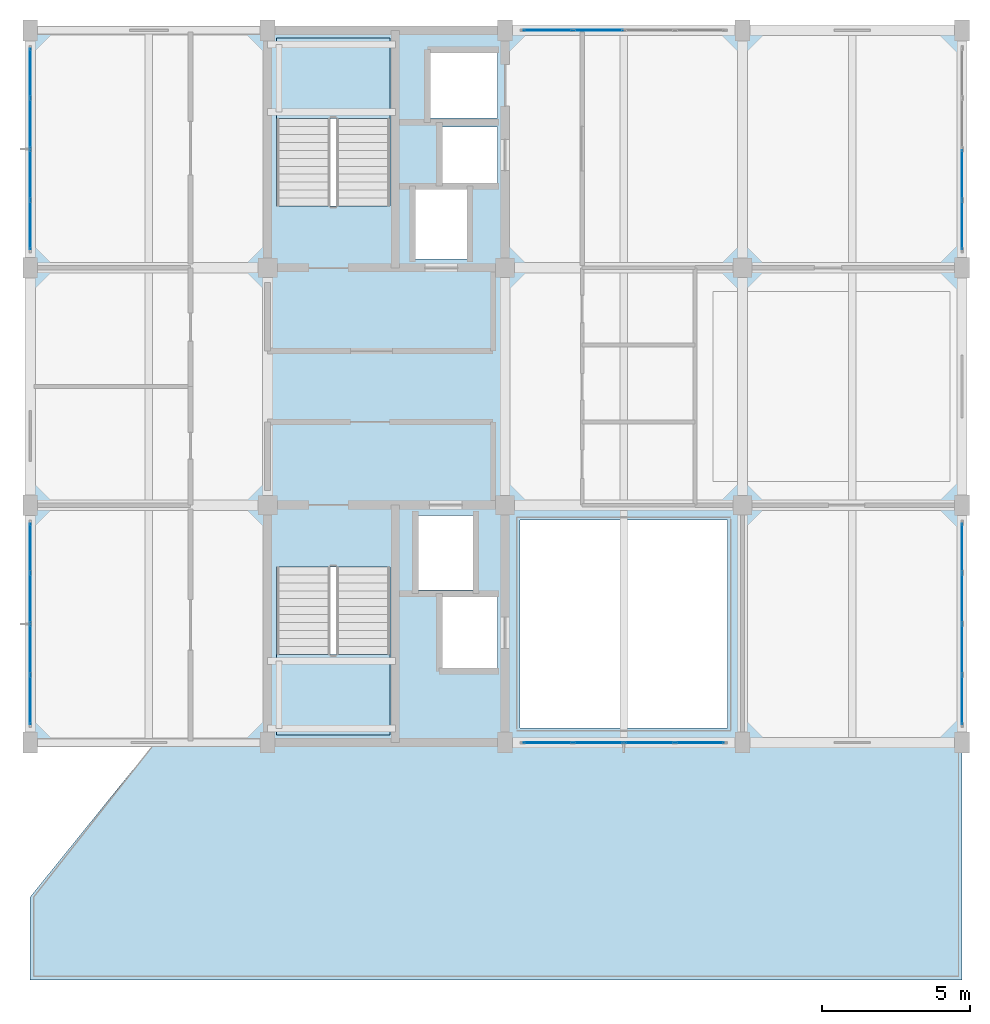
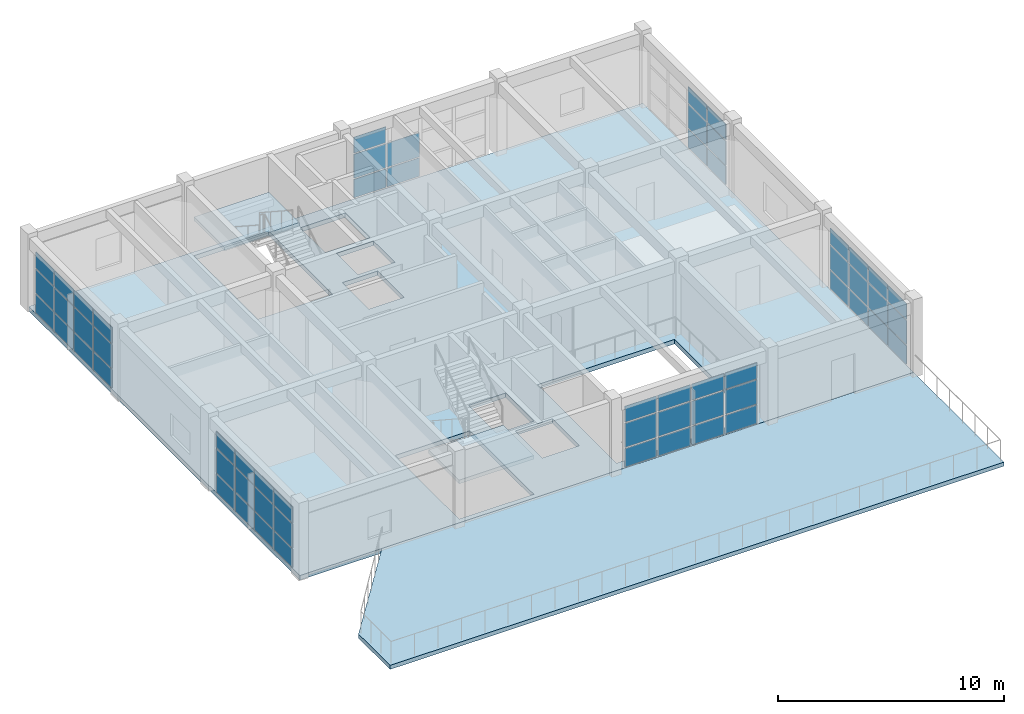
# One storey, part 15 of 20: 59 plates, 4 slabs, 8 elements without a shape of their own.
"""IFC4 building model written with IfcOpenShell, lengths in metres."""

from ifc_helpers import new_model, si_unit, direction, frame, origin, origin_2d, place, context, subcontext, project, spatial, polyline, rectangle, outline, extrude, material, layer, layer_set, type_object, element, aggregate, save


model = new_model("IFC4")

# Units and contexts
model_context = context("Model", 3, precision=1e-05, world=origin(), true_north=direction((0.0, 1.0)))
body_context = subcontext(model_context, "Body", "Model", "MODEL_VIEW")
ifc_project = project(units=[si_unit("LENGTHUNIT", "METRE"), si_unit("AREAUNIT", "SQUARE_METRE"), si_unit("VOLUMEUNIT", "CUBIC_METRE"), si_unit("PLANEANGLEUNIT", "RADIAN"), si_unit("MASSUNIT", "GRAM", prefix="KILO")], contexts=[model_context])

# Site, building, storey
site_placement = place(None, origin())
site = spatial("IfcSite", under=ifc_project, at=site_placement, CompositionType="ELEMENT")
building_placement = place(site_placement, origin())
building = spatial("IfcBuilding", under=site, at=building_placement, Name="Canggui Botanical Conservatory", CompositionType="ELEMENT")
storey_placement = place(building_placement, frame((0.0, 0.0, 57.0)))
storey = spatial("IfcBuildingStorey", under=building, at=storey_placement, Name="L14", CompositionType="ELEMENT", Elevation=57.0)

# Curtain wall, plates
ifc_material_1 = material(Name="Thermally Broken Aluminium", Category="aluminium")
ifc_layer_1 = layer(ifc_material_1, 0.1650390625, Name="Thermally Broken Aluminium", Category="aluminium")
ifc_layer_set_1 = layer_set([ifc_layer_1], Name="Thermally Broken Aluminium")
curtain_wall_type = type_object("IfcCurtainWallType", Name="CW-UNIT-B", PredefinedType="USERDEFINED", material=ifc_layer_set_1)
curtain_wall_1_placement = place(storey_placement, origin())
curtain_wall_1 = element("IfcCurtainWall", 1, at=curtain_wall_1_placement, inside=storey, type_object=curtain_wall_type, Name="Facade Curtain Wall CW-TWR-L14-02", ObjectType="UNITISED CURTAIN WALL", PredefinedType="USERDEFINED")
ifc_material_2 = material(Name="Low-E Insulated Glass", Category="glass")
ifc_layer_2 = layer(ifc_material_2, 0.030029296875, Name="Low-E Insulated Glass", Category="glass")
ifc_layer_set_2 = layer_set([ifc_layer_2], Name="Low-E Insulated Glass")
plate_type = type_object("IfcPlateType", Name="CWP-02", PredefinedType="CURTAIN_PANEL", material=ifc_layer_set_2)
plate_1_placement = place(storey_placement, frame((168.563720703125, 42.0, 0.06005859375), z_axis=(0.0, 0.0, 1.0), x_axis=(-1.0, 0.0, 0.0)))
plate_1 = element("IfcPlate", 2, at=plate_1_placement, type_object=plate_type, Name="CW-02 panel 1.1", PredefinedType="CURTAIN_PANEL", context=body_context, shape_type="SweptSolid", body=[
    extrude(rectangle(XDim=1.62255859375, YDim=0.030029296875, at=origin_2d()), origin(), (0.0, 0.0, 1.0), 0.998046875),
])
plate_2_placement = place(storey_placement, frame((168.563720703125, 42.0, 1.1181640625), z_axis=(0.0, 0.0, 1.0), x_axis=(-1.0, 0.0, 0.0)))
plate_2 = element("IfcPlate", 3, at=plate_2_placement, type_object=plate_type, Name="CW-02 panel 1.2", PredefinedType="CURTAIN_PANEL", context=body_context, shape_type="SweptSolid", body=[
    extrude(rectangle(XDim=1.62255859375, YDim=0.030029296875, at=origin_2d()), origin(), (0.0, 0.0, 1.0), 1.300048828125),
])
plate_3_placement = place(storey_placement, frame((168.563720703125, 42.0, 2.47802734375), z_axis=(0.0, 0.0, 1.0), x_axis=(-1.0, 0.0, 0.0)))
plate_3 = element("IfcPlate", 4, at=plate_3_placement, type_object=plate_type, Name="CW-02 panel 1.3", PredefinedType="CURTAIN_PANEL", context=body_context, shape_type="SweptSolid", body=[
    extrude(rectangle(XDim=1.62255859375, YDim=0.030029296875, at=origin_2d()), origin(), (0.0, 0.0, 1.0), 0.862060546875),
])
plate_4_placement = place(storey_placement, frame((166.860107421875, 42.0, 0.06005859375), z_axis=(0.0, 0.0, 1.0), x_axis=(-1.0, 0.0, 0.0)))
plate_4 = element("IfcPlate", 5, at=plate_4_placement, type_object=plate_type, Name="CW-02 panel 2.1", PredefinedType="CURTAIN_PANEL", context=body_context, shape_type="SweptSolid", body=[
    extrude(rectangle(XDim=1.655029296875, YDim=0.030029296875, at=origin_2d()), origin(), (0.0, 0.0, 1.0), 0.998046875),
])
plate_5_placement = place(storey_placement, frame((166.860107421875, 42.0, 1.1181640625), z_axis=(0.0, 0.0, 1.0), x_axis=(-1.0, 0.0, 0.0)))
plate_5 = element("IfcPlate", 6, at=plate_5_placement, type_object=plate_type, Name="CW-02 panel 2.2", PredefinedType="CURTAIN_PANEL", context=body_context, shape_type="SweptSolid", body=[
    extrude(rectangle(XDim=1.655029296875, YDim=0.030029296875, at=origin_2d()), origin(), (0.0, 0.0, 1.0), 1.300048828125),
])
plate_6_placement = place(storey_placement, frame((166.860107421875, 42.0, 2.47802734375), z_axis=(0.0, 0.0, 1.0), x_axis=(-1.0, 0.0, 0.0)))
plate_6 = element("IfcPlate", 7, at=plate_6_placement, type_object=plate_type, Name="CW-02 panel 2.3", PredefinedType="CURTAIN_PANEL", context=body_context, shape_type="SweptSolid", body=[
    extrude(rectangle(XDim=1.655029296875, YDim=0.030029296875, at=origin_2d()), origin(), (0.0, 0.0, 1.0), 0.862060546875),
])
plate_7_placement = place(storey_placement, frame((165.139892578125, 42.0, 0.06005859375), z_axis=(0.0, 0.0, 1.0), x_axis=(-1.0, 0.0, 0.0)))
plate_7 = element("IfcPlate", 8, at=plate_7_placement, type_object=plate_type, Name="CW-02 panel 3.1", PredefinedType="CURTAIN_PANEL", context=body_context, shape_type="SweptSolid", body=[
    extrude(rectangle(XDim=1.655029296875, YDim=0.030029296875, at=origin_2d()), origin(), (0.0, 0.0, 1.0), 0.998046875),
])
plate_8_placement = place(storey_placement, frame((165.139892578125, 42.0, 1.1181640625), z_axis=(0.0, 0.0, 1.0), x_axis=(-1.0, 0.0, 0.0)))
plate_8 = element("IfcPlate", 9, at=plate_8_placement, type_object=plate_type, Name="CW-02 panel 3.2", PredefinedType="CURTAIN_PANEL", context=body_context, shape_type="SweptSolid", body=[
    extrude(rectangle(XDim=1.655029296875, YDim=0.030029296875, at=origin_2d()), origin(), (0.0, 0.0, 1.0), 1.300048828125),
])
plate_9_placement = place(storey_placement, frame((165.139892578125, 42.0, 2.47802734375), z_axis=(0.0, 0.0, 1.0), x_axis=(-1.0, 0.0, 0.0)))
plate_9 = element("IfcPlate", 10, at=plate_9_placement, type_object=plate_type, Name="CW-02 panel 3.3", PredefinedType="CURTAIN_PANEL", context=body_context, shape_type="SweptSolid", body=[
    extrude(rectangle(XDim=1.655029296875, YDim=0.030029296875, at=origin_2d()), origin(), (0.0, 0.0, 1.0), 0.862060546875),
])
plate_10_placement = place(storey_placement, frame((163.436279296875, 42.0, 0.06005859375), z_axis=(0.0, 0.0, 1.0), x_axis=(-1.0, 0.0, 0.0)))
plate_10 = element("IfcPlate", 11, at=plate_10_placement, type_object=plate_type, Name="CW-02 panel 4.1", PredefinedType="CURTAIN_PANEL", context=body_context, shape_type="SweptSolid", body=[
    extrude(rectangle(XDim=1.62255859375, YDim=0.030029296875, at=origin_2d()), origin(), (0.0, 0.0, 1.0), 0.998046875),
])
plate_11_placement = place(storey_placement, frame((163.436279296875, 42.0, 1.1181640625), z_axis=(0.0, 0.0, 1.0), x_axis=(-1.0, 0.0, 0.0)))
plate_11 = element("IfcPlate", 12, at=plate_11_placement, type_object=plate_type, Name="CW-02 panel 4.2", PredefinedType="CURTAIN_PANEL", context=body_context, shape_type="SweptSolid", body=[
    extrude(rectangle(XDim=1.62255859375, YDim=0.030029296875, at=origin_2d()), origin(), (0.0, 0.0, 1.0), 1.300048828125),
])
plate_12_placement = place(storey_placement, frame((163.436279296875, 42.0, 2.47802734375), z_axis=(0.0, 0.0, 1.0), x_axis=(-1.0, 0.0, 0.0)))
plate_12 = element("IfcPlate", 13, at=plate_12_placement, type_object=plate_type, Name="CW-02 panel 4.3", PredefinedType="CURTAIN_PANEL", context=body_context, shape_type="SweptSolid", body=[
    extrude(rectangle(XDim=1.62255859375, YDim=0.030029296875, at=origin_2d()), origin(), (0.0, 0.0, 1.0), 0.862060546875),
])
aggregate(curtain_wall_1, [plate_1, plate_2, plate_3, plate_4, plate_5, plate_6, plate_7, plate_8, plate_9, plate_10, plate_11, plate_12])

curtain_wall_2_placement = place(storey_placement, origin())
curtain_wall_2 = element("IfcCurtainWall", 14, at=curtain_wall_2_placement, inside=storey, type_object=curtain_wall_type, Name="Facade Curtain Wall CW-TWR-L14-04", ObjectType="UNITISED CURTAIN WALL", PredefinedType="USERDEFINED")
plate_13_placement = place(storey_placement, frame((146.0, 43.436279296875, 0.06005859375), z_axis=(0.0, 0.0, 1.0), x_axis=(0.0, 1.0, 0.0)))
plate_13 = element("IfcPlate", 15, at=plate_13_placement, type_object=plate_type, Name="CW-02 panel 1.1", PredefinedType="CURTAIN_PANEL", context=body_context, shape_type="SweptSolid", body=[
    extrude(rectangle(XDim=1.62255859375, YDim=0.030029296875, at=origin_2d()), origin(), (0.0, 0.0, 1.0), 0.998046875),
])
plate_14_placement = place(storey_placement, frame((146.0, 43.436279296875, 1.1181640625), z_axis=(0.0, 0.0, 1.0), x_axis=(0.0, 1.0, 0.0)))
plate_14 = element("IfcPlate", 16, at=plate_14_placement, type_object=plate_type, Name="CW-02 panel 1.2", PredefinedType="CURTAIN_PANEL", context=body_context, shape_type="SweptSolid", body=[
    extrude(rectangle(XDim=1.62255859375, YDim=0.030029296875, at=origin_2d()), origin(), (0.0, 0.0, 1.0), 1.300048828125),
])
plate_15_placement = place(storey_placement, frame((146.0, 43.436279296875, 2.47802734375), z_axis=(0.0, 0.0, 1.0), x_axis=(0.0, 1.0, 0.0)))
plate_15 = element("IfcPlate", 17, at=plate_15_placement, type_object=plate_type, Name="CW-02 panel 1.3", PredefinedType="CURTAIN_PANEL", context=body_context, shape_type="SweptSolid", body=[
    extrude(rectangle(XDim=1.62255859375, YDim=0.030029296875, at=origin_2d()), origin(), (0.0, 0.0, 1.0), 0.862060546875),
])
plate_16_placement = place(storey_placement, frame((146.0, 45.139892578125, 0.06005859375), z_axis=(0.0, 0.0, 1.0), x_axis=(0.0, 1.0, 0.0)))
plate_16 = element("IfcPlate", 18, at=plate_16_placement, type_object=plate_type, Name="CW-02 panel 2.1", PredefinedType="CURTAIN_PANEL", context=body_context, shape_type="SweptSolid", body=[
    extrude(rectangle(XDim=1.655029296875, YDim=0.030029296875, at=origin_2d()), origin(), (0.0, 0.0, 1.0), 0.998046875),
])
plate_17_placement = place(storey_placement, frame((146.0, 45.139892578125, 1.1181640625), z_axis=(0.0, 0.0, 1.0), x_axis=(0.0, 1.0, 0.0)))
plate_17 = element("IfcPlate", 19, at=plate_17_placement, type_object=plate_type, Name="CW-02 panel 2.2", PredefinedType="CURTAIN_PANEL", context=body_context, shape_type="SweptSolid", body=[
    extrude(rectangle(XDim=1.655029296875, YDim=0.030029296875, at=origin_2d()), origin(), (0.0, 0.0, 1.0), 1.300048828125),
])
plate_18_placement = place(storey_placement, frame((146.0, 45.139892578125, 2.47802734375), z_axis=(0.0, 0.0, 1.0), x_axis=(0.0, 1.0, 0.0)))
plate_18 = element("IfcPlate", 20, at=plate_18_placement, type_object=plate_type, Name="CW-02 panel 2.3", PredefinedType="CURTAIN_PANEL", context=body_context, shape_type="SweptSolid", body=[
    extrude(rectangle(XDim=1.655029296875, YDim=0.030029296875, at=origin_2d()), origin(), (0.0, 0.0, 1.0), 0.862060546875),
])
plate_19_placement = place(storey_placement, frame((146.0, 46.860107421875, 0.06005859375), z_axis=(0.0, 0.0, 1.0), x_axis=(0.0, 1.0, 0.0)))
plate_19 = element("IfcPlate", 21, at=plate_19_placement, type_object=plate_type, Name="CW-02 panel 3.1", PredefinedType="CURTAIN_PANEL", context=body_context, shape_type="SweptSolid", body=[
    extrude(rectangle(XDim=1.655029296875, YDim=0.030029296875, at=origin_2d()), origin(), (0.0, 0.0, 1.0), 0.998046875),
])
plate_20_placement = place(storey_placement, frame((146.0, 46.860107421875, 1.1181640625), z_axis=(0.0, 0.0, 1.0), x_axis=(0.0, 1.0, 0.0)))
plate_20 = element("IfcPlate", 22, at=plate_20_placement, type_object=plate_type, Name="CW-02 panel 3.2", PredefinedType="CURTAIN_PANEL", context=body_context, shape_type="SweptSolid", body=[
    extrude(rectangle(XDim=1.655029296875, YDim=0.030029296875, at=origin_2d()), origin(), (0.0, 0.0, 1.0), 1.300048828125),
])
plate_21_placement = place(storey_placement, frame((146.0, 46.860107421875, 2.47802734375), z_axis=(0.0, 0.0, 1.0), x_axis=(0.0, 1.0, 0.0)))
plate_21 = element("IfcPlate", 23, at=plate_21_placement, type_object=plate_type, Name="CW-02 panel 3.3", PredefinedType="CURTAIN_PANEL", context=body_context, shape_type="SweptSolid", body=[
    extrude(rectangle(XDim=1.655029296875, YDim=0.030029296875, at=origin_2d()), origin(), (0.0, 0.0, 1.0), 0.862060546875),
])
plate_22_placement = place(storey_placement, frame((146.0, 48.563720703125, 0.06005859375), z_axis=(0.0, 0.0, 1.0), x_axis=(0.0, 1.0, 0.0)))
plate_22 = element("IfcPlate", 24, at=plate_22_placement, type_object=plate_type, Name="CW-02 panel 4.1", PredefinedType="CURTAIN_PANEL", context=body_context, shape_type="SweptSolid", body=[
    extrude(rectangle(XDim=1.62255859375, YDim=0.030029296875, at=origin_2d()), origin(), (0.0, 0.0, 1.0), 0.998046875),
])
plate_23_placement = place(storey_placement, frame((146.0, 48.563720703125, 1.1181640625), z_axis=(0.0, 0.0, 1.0), x_axis=(0.0, 1.0, 0.0)))
plate_23 = element("IfcPlate", 25, at=plate_23_placement, type_object=plate_type, Name="CW-02 panel 4.2", PredefinedType="CURTAIN_PANEL", context=body_context, shape_type="SweptSolid", body=[
    extrude(rectangle(XDim=1.62255859375, YDim=0.030029296875, at=origin_2d()), origin(), (0.0, 0.0, 1.0), 1.300048828125),
])
plate_24_placement = place(storey_placement, frame((146.0, 48.563720703125, 2.47802734375), z_axis=(0.0, 0.0, 1.0), x_axis=(0.0, 1.0, 0.0)))
plate_24 = element("IfcPlate", 26, at=plate_24_placement, type_object=plate_type, Name="CW-02 panel 4.3", PredefinedType="CURTAIN_PANEL", context=body_context, shape_type="SweptSolid", body=[
    extrude(rectangle(XDim=1.62255859375, YDim=0.030029296875, at=origin_2d()), origin(), (0.0, 0.0, 1.0), 0.862060546875),
])
aggregate(curtain_wall_2, [plate_13, plate_14, plate_15, plate_16, plate_17, plate_18, plate_19, plate_20, plate_21, plate_22, plate_23, plate_24])

curtain_wall_3_placement = place(storey_placement, origin())
curtain_wall_3 = element("IfcCurtainWall", 27, at=curtain_wall_3_placement, inside=storey, type_object=curtain_wall_type, Name="Facade Curtain Wall CW-TWR-L14-06", ObjectType="UNITISED CURTAIN WALL", PredefinedType="USERDEFINED")
plate_25_placement = place(storey_placement, frame((146.0, 59.436279296875, 0.06005859375), z_axis=(0.0, 0.0, 1.0), x_axis=(0.0, 1.0, 0.0)))
plate_25 = element("IfcPlate", 28, at=plate_25_placement, type_object=plate_type, Name="CW-02 panel 1.1", PredefinedType="CURTAIN_PANEL", context=body_context, shape_type="SweptSolid", body=[
    extrude(rectangle(XDim=1.62255859375, YDim=0.030029296875, at=origin_2d()), origin(), (0.0, 0.0, 1.0), 0.998046875),
])
plate_26_placement = place(storey_placement, frame((146.0, 59.436279296875, 1.1181640625), z_axis=(0.0, 0.0, 1.0), x_axis=(0.0, 1.0, 0.0)))
plate_26 = element("IfcPlate", 29, at=plate_26_placement, type_object=plate_type, Name="CW-02 panel 1.2", PredefinedType="CURTAIN_PANEL", context=body_context, shape_type="SweptSolid", body=[
    extrude(rectangle(XDim=1.62255859375, YDim=0.030029296875, at=origin_2d()), origin(), (0.0, 0.0, 1.0), 1.300048828125),
])
plate_27_placement = place(storey_placement, frame((146.0, 59.436279296875, 2.47802734375), z_axis=(0.0, 0.0, 1.0), x_axis=(0.0, 1.0, 0.0)))
plate_27 = element("IfcPlate", 30, at=plate_27_placement, type_object=plate_type, Name="CW-02 panel 1.3", PredefinedType="CURTAIN_PANEL", context=body_context, shape_type="SweptSolid", body=[
    extrude(rectangle(XDim=1.62255859375, YDim=0.030029296875, at=origin_2d()), origin(), (0.0, 0.0, 1.0), 0.862060546875),
])
plate_28_placement = place(storey_placement, frame((146.0, 61.139892578125, 0.06005859375), z_axis=(0.0, 0.0, 1.0), x_axis=(0.0, 1.0, 0.0)))
plate_28 = element("IfcPlate", 31, at=plate_28_placement, type_object=plate_type, Name="CW-02 panel 2.1", PredefinedType="CURTAIN_PANEL", context=body_context, shape_type="SweptSolid", body=[
    extrude(rectangle(XDim=1.655029296875, YDim=0.030029296875, at=origin_2d()), origin(), (0.0, 0.0, 1.0), 0.998046875),
])
plate_29_placement = place(storey_placement, frame((146.0, 61.139892578125, 1.1181640625), z_axis=(0.0, 0.0, 1.0), x_axis=(0.0, 1.0, 0.0)))
plate_29 = element("IfcPlate", 32, at=plate_29_placement, type_object=plate_type, Name="CW-02 panel 2.2", PredefinedType="CURTAIN_PANEL", context=body_context, shape_type="SweptSolid", body=[
    extrude(rectangle(XDim=1.655029296875, YDim=0.030029296875, at=origin_2d()), origin(), (0.0, 0.0, 1.0), 1.300048828125),
])
plate_30_placement = place(storey_placement, frame((146.0, 61.139892578125, 2.47802734375), z_axis=(0.0, 0.0, 1.0), x_axis=(0.0, 1.0, 0.0)))
plate_30 = element("IfcPlate", 33, at=plate_30_placement, type_object=plate_type, Name="CW-02 panel 2.3", PredefinedType="CURTAIN_PANEL", context=body_context, shape_type="SweptSolid", body=[
    extrude(rectangle(XDim=1.655029296875, YDim=0.030029296875, at=origin_2d()), origin(), (0.0, 0.0, 1.0), 0.862060546875),
])
plate_31_placement = place(storey_placement, frame((146.0, 62.860107421875, 0.06005859375), z_axis=(0.0, 0.0, 1.0), x_axis=(0.0, 1.0, 0.0)))
plate_31 = element("IfcPlate", 34, at=plate_31_placement, type_object=plate_type, Name="CW-02 panel 3.1", PredefinedType="CURTAIN_PANEL", context=body_context, shape_type="SweptSolid", body=[
    extrude(rectangle(XDim=1.655029296875, YDim=0.030029296875, at=origin_2d()), origin(), (0.0, 0.0, 1.0), 0.998046875),
])
plate_32_placement = place(storey_placement, frame((146.0, 62.860107421875, 1.1181640625), z_axis=(0.0, 0.0, 1.0), x_axis=(0.0, 1.0, 0.0)))
plate_32 = element("IfcPlate", 35, at=plate_32_placement, type_object=plate_type, Name="CW-02 panel 3.2", PredefinedType="CURTAIN_PANEL", context=body_context, shape_type="SweptSolid", body=[
    extrude(rectangle(XDim=1.655029296875, YDim=0.030029296875, at=origin_2d()), origin(), (0.0, 0.0, 1.0), 1.300048828125),
])
plate_33_placement = place(storey_placement, frame((146.0, 62.860107421875, 2.47802734375), z_axis=(0.0, 0.0, 1.0), x_axis=(0.0, 1.0, 0.0)))
plate_33 = element("IfcPlate", 36, at=plate_33_placement, type_object=plate_type, Name="CW-02 panel 3.3", PredefinedType="CURTAIN_PANEL", context=body_context, shape_type="SweptSolid", body=[
    extrude(rectangle(XDim=1.655029296875, YDim=0.030029296875, at=origin_2d()), origin(), (0.0, 0.0, 1.0), 0.862060546875),
])
plate_34_placement = place(storey_placement, frame((146.0, 64.563720703125, 0.06005859375), z_axis=(0.0, 0.0, 1.0), x_axis=(0.0, 1.0, 0.0)))
plate_34 = element("IfcPlate", 37, at=plate_34_placement, type_object=plate_type, Name="CW-02 panel 4.1", PredefinedType="CURTAIN_PANEL", context=body_context, shape_type="SweptSolid", body=[
    extrude(rectangle(XDim=1.62255859375, YDim=0.030029296875, at=origin_2d()), origin(), (0.0, 0.0, 1.0), 0.998046875),
])
plate_35_placement = place(storey_placement, frame((146.0, 64.563720703125, 1.1181640625), z_axis=(0.0, 0.0, 1.0), x_axis=(0.0, 1.0, 0.0)))
plate_35 = element("IfcPlate", 38, at=plate_35_placement, type_object=plate_type, Name="CW-02 panel 4.2", PredefinedType="CURTAIN_PANEL", context=body_context, shape_type="SweptSolid", body=[
    extrude(rectangle(XDim=1.62255859375, YDim=0.030029296875, at=origin_2d()), origin(), (0.0, 0.0, 1.0), 1.300048828125),
])
plate_36_placement = place(storey_placement, frame((146.0, 64.563720703125, 2.47802734375), z_axis=(0.0, 0.0, 1.0), x_axis=(0.0, 1.0, 0.0)))
plate_36 = element("IfcPlate", 39, at=plate_36_placement, type_object=plate_type, Name="CW-02 panel 4.3", PredefinedType="CURTAIN_PANEL", context=body_context, shape_type="SweptSolid", body=[
    extrude(rectangle(XDim=1.62255859375, YDim=0.030029296875, at=origin_2d()), origin(), (0.0, 0.0, 1.0), 0.862060546875),
])
aggregate(curtain_wall_3, [plate_25, plate_26, plate_27, plate_28, plate_29, plate_30, plate_31, plate_32, plate_33, plate_34, plate_35, plate_36])

curtain_wall_4_placement = place(storey_placement, origin())
curtain_wall_4 = element("IfcCurtainWall", 40, at=curtain_wall_4_placement, inside=storey, type_object=curtain_wall_type, Name="Facade Curtain Wall CW-TWR-L14-08", ObjectType="UNITISED CURTAIN WALL", PredefinedType="USERDEFINED")
plate_37_placement = place(storey_placement, frame((163.436279296875, 66.0, 0.06005859375), z_axis=(0.0, 0.0, 1.0), x_axis=(1.0, 0.0, 0.0)))
plate_37 = element("IfcPlate", 41, at=plate_37_placement, type_object=plate_type, Name="CW-02 panel 1.1", PredefinedType="CURTAIN_PANEL", context=body_context, shape_type="SweptSolid", body=[
    extrude(rectangle(XDim=1.62255859375, YDim=0.030029296875, at=origin_2d()), origin(), (0.0, 0.0, 1.0), 0.998046875),
])
plate_38_placement = place(storey_placement, frame((163.436279296875, 66.0, 1.1181640625), z_axis=(0.0, 0.0, 1.0), x_axis=(1.0, 0.0, 0.0)))
plate_38 = element("IfcPlate", 42, at=plate_38_placement, type_object=plate_type, Name="CW-02 panel 1.2", PredefinedType="CURTAIN_PANEL", context=body_context, shape_type="SweptSolid", body=[
    extrude(rectangle(XDim=1.62255859375, YDim=0.030029296875, at=origin_2d()), origin(), (0.0, 0.0, 1.0), 1.300048828125),
])
plate_39_placement = place(storey_placement, frame((163.436279296875, 66.0, 2.47802734375), z_axis=(0.0, 0.0, 1.0), x_axis=(1.0, 0.0, 0.0)))
plate_39 = element("IfcPlate", 43, at=plate_39_placement, type_object=plate_type, Name="CW-02 panel 1.3", PredefinedType="CURTAIN_PANEL", context=body_context, shape_type="SweptSolid", body=[
    extrude(rectangle(XDim=1.62255859375, YDim=0.030029296875, at=origin_2d()), origin(), (0.0, 0.0, 1.0), 0.862060546875),
])
plate_40_placement = place(storey_placement, frame((165.139892578125, 66.0, 0.06005859375), z_axis=(0.0, 0.0, 1.0), x_axis=(1.0, 0.0, 0.0)))
plate_40 = element("IfcPlate", 44, at=plate_40_placement, type_object=plate_type, Name="CW-02 panel 2.1", PredefinedType="CURTAIN_PANEL", context=body_context, shape_type="SweptSolid", body=[
    extrude(rectangle(XDim=1.655029296875, YDim=0.030029296875, at=origin_2d()), origin(), (0.0, 0.0, 1.0), 0.998046875),
])
plate_41_placement = place(storey_placement, frame((165.139892578125, 66.0, 1.1181640625), z_axis=(0.0, 0.0, 1.0), x_axis=(1.0, 0.0, 0.0)))
plate_41 = element("IfcPlate", 45, at=plate_41_placement, type_object=plate_type, Name="CW-02 panel 2.2", PredefinedType="CURTAIN_PANEL", context=body_context, shape_type="SweptSolid", body=[
    extrude(rectangle(XDim=1.655029296875, YDim=0.030029296875, at=origin_2d()), origin(), (0.0, 0.0, 1.0), 1.300048828125),
])
aggregate(curtain_wall_4, [plate_37, plate_38, plate_39, plate_40, plate_41])

curtain_wall_5_placement = place(storey_placement, origin())
curtain_wall_5 = element("IfcCurtainWall", 46, at=curtain_wall_5_placement, inside=storey, type_object=curtain_wall_type, Name="Facade Curtain Wall CW-TWR-L14-10", ObjectType="UNITISED CURTAIN WALL", PredefinedType="USERDEFINED")
plate_42_placement = place(storey_placement, frame((177.39990234375, 61.139892578125, 0.06005859375), z_axis=(0.0, 0.0, 1.0), x_axis=(0.0, -1.0, 0.0)))
plate_42 = element("IfcPlate", 47, at=plate_42_placement, type_object=plate_type, Name="CW-02 panel 3.1", PredefinedType="CURTAIN_PANEL", context=body_context, shape_type="SweptSolid", body=[
    extrude(rectangle(XDim=1.655029296875, YDim=0.030029296875, at=origin_2d()), origin(), (0.0, 0.0, 1.0), 0.998046875),
])
plate_43_placement = place(storey_placement, frame((177.39990234375, 61.139892578125, 1.1181640625), z_axis=(0.0, 0.0, 1.0), x_axis=(0.0, -1.0, 0.0)))
plate_43 = element("IfcPlate", 48, at=plate_43_placement, type_object=plate_type, Name="CW-02 panel 3.2", PredefinedType="CURTAIN_PANEL", context=body_context, shape_type="SweptSolid", body=[
    extrude(rectangle(XDim=1.655029296875, YDim=0.030029296875, at=origin_2d()), origin(), (0.0, 0.0, 1.0), 1.300048828125),
])
plate_44_placement = place(storey_placement, frame((177.39990234375, 61.139892578125, 2.47802734375), z_axis=(0.0, 0.0, 1.0), x_axis=(0.0, -1.0, 0.0)))
plate_44 = element("IfcPlate", 49, at=plate_44_placement, type_object=plate_type, Name="CW-02 panel 3.3", PredefinedType="CURTAIN_PANEL", context=body_context, shape_type="SweptSolid", body=[
    extrude(rectangle(XDim=1.655029296875, YDim=0.030029296875, at=origin_2d()), origin(), (0.0, 0.0, 1.0), 0.862060546875),
])
plate_45_placement = place(storey_placement, frame((177.39990234375, 59.436279296875, 0.06005859375), z_axis=(0.0, 0.0, 1.0), x_axis=(0.0, -1.0, 0.0)))
plate_45 = element("IfcPlate", 50, at=plate_45_placement, type_object=plate_type, Name="CW-02 panel 4.1", PredefinedType="CURTAIN_PANEL", context=body_context, shape_type="SweptSolid", body=[
    extrude(rectangle(XDim=1.62255859375, YDim=0.030029296875, at=origin_2d()), origin(), (0.0, 0.0, 1.0), 0.998046875),
])
plate_46_placement = place(storey_placement, frame((177.39990234375, 59.436279296875, 1.1181640625), z_axis=(0.0, 0.0, 1.0), x_axis=(0.0, -1.0, 0.0)))
plate_46 = element("IfcPlate", 51, at=plate_46_placement, type_object=plate_type, Name="CW-02 panel 4.2", PredefinedType="CURTAIN_PANEL", context=body_context, shape_type="SweptSolid", body=[
    extrude(rectangle(XDim=1.62255859375, YDim=0.030029296875, at=origin_2d()), origin(), (0.0, 0.0, 1.0), 1.300048828125),
])
plate_47_placement = place(storey_placement, frame((177.39990234375, 59.436279296875, 2.47802734375), z_axis=(0.0, 0.0, 1.0), x_axis=(0.0, -1.0, 0.0)))
plate_47 = element("IfcPlate", 52, at=plate_47_placement, type_object=plate_type, Name="CW-02 panel 4.3", PredefinedType="CURTAIN_PANEL", context=body_context, shape_type="SweptSolid", body=[
    extrude(rectangle(XDim=1.62255859375, YDim=0.030029296875, at=origin_2d()), origin(), (0.0, 0.0, 1.0), 0.862060546875),
])
aggregate(curtain_wall_5, [plate_42, plate_43, plate_44, plate_45, plate_46, plate_47])

curtain_wall_6_placement = place(storey_placement, origin())
curtain_wall_6 = element("IfcCurtainWall", 53, at=curtain_wall_6_placement, inside=storey, type_object=curtain_wall_type, Name="Facade Curtain Wall CW-TWR-L14-12", ObjectType="UNITISED CURTAIN WALL", PredefinedType="USERDEFINED")
plate_48_placement = place(storey_placement, frame((177.39990234375, 48.563720703125, 0.06005859375), z_axis=(0.0, 0.0, 1.0), x_axis=(0.0, -1.0, 0.0)))
plate_48 = element("IfcPlate", 54, at=plate_48_placement, type_object=plate_type, Name="CW-02 panel 1.1", PredefinedType="CURTAIN_PANEL", context=body_context, shape_type="SweptSolid", body=[
    extrude(rectangle(XDim=1.62255859375, YDim=0.030029296875, at=origin_2d()), origin(), (0.0, 0.0, 1.0), 0.998046875),
])
plate_49_placement = place(storey_placement, frame((177.39990234375, 48.563720703125, 1.1181640625), z_axis=(0.0, 0.0, 1.0), x_axis=(0.0, -1.0, 0.0)))
plate_49 = element("IfcPlate", 55, at=plate_49_placement, type_object=plate_type, Name="CW-02 panel 1.2", PredefinedType="CURTAIN_PANEL", context=body_context, shape_type="SweptSolid", body=[
    extrude(rectangle(XDim=1.62255859375, YDim=0.030029296875, at=origin_2d()), origin(), (0.0, 0.0, 1.0), 1.300048828125),
])
plate_50_placement = place(storey_placement, frame((177.39990234375, 48.563720703125, 2.47802734375), z_axis=(0.0, 0.0, 1.0), x_axis=(0.0, -1.0, 0.0)))
plate_50 = element("IfcPlate", 56, at=plate_50_placement, type_object=plate_type, Name="CW-02 panel 1.3", PredefinedType="CURTAIN_PANEL", context=body_context, shape_type="SweptSolid", body=[
    extrude(rectangle(XDim=1.62255859375, YDim=0.030029296875, at=origin_2d()), origin(), (0.0, 0.0, 1.0), 0.862060546875),
])
plate_51_placement = place(storey_placement, frame((177.39990234375, 46.860107421875, 0.06005859375), z_axis=(0.0, 0.0, 1.0), x_axis=(0.0, -1.0, 0.0)))
plate_51 = element("IfcPlate", 57, at=plate_51_placement, type_object=plate_type, Name="CW-02 panel 2.1", PredefinedType="CURTAIN_PANEL", context=body_context, shape_type="SweptSolid", body=[
    extrude(rectangle(XDim=1.655029296875, YDim=0.030029296875, at=origin_2d()), origin(), (0.0, 0.0, 1.0), 0.998046875),
])
plate_52_placement = place(storey_placement, frame((177.39990234375, 46.860107421875, 1.1181640625), z_axis=(0.0, 0.0, 1.0), x_axis=(0.0, -1.0, 0.0)))
plate_52 = element("IfcPlate", 58, at=plate_52_placement, type_object=plate_type, Name="CW-02 panel 2.2", PredefinedType="CURTAIN_PANEL", context=body_context, shape_type="SweptSolid", body=[
    extrude(rectangle(XDim=1.655029296875, YDim=0.030029296875, at=origin_2d()), origin(), (0.0, 0.0, 1.0), 1.300048828125),
])
plate_53_placement = place(storey_placement, frame((177.39990234375, 46.860107421875, 2.47802734375), z_axis=(0.0, 0.0, 1.0), x_axis=(0.0, -1.0, 0.0)))
plate_53 = element("IfcPlate", 59, at=plate_53_placement, type_object=plate_type, Name="CW-02 panel 2.3", PredefinedType="CURTAIN_PANEL", context=body_context, shape_type="SweptSolid", body=[
    extrude(rectangle(XDim=1.655029296875, YDim=0.030029296875, at=origin_2d()), origin(), (0.0, 0.0, 1.0), 0.862060546875),
])
plate_54_placement = place(storey_placement, frame((177.39990234375, 45.139892578125, 0.06005859375), z_axis=(0.0, 0.0, 1.0), x_axis=(0.0, -1.0, 0.0)))
plate_54 = element("IfcPlate", 60, at=plate_54_placement, type_object=plate_type, Name="CW-02 panel 3.1", PredefinedType="CURTAIN_PANEL", context=body_context, shape_type="SweptSolid", body=[
    extrude(rectangle(XDim=1.655029296875, YDim=0.030029296875, at=origin_2d()), origin(), (0.0, 0.0, 1.0), 0.998046875),
])
plate_55_placement = place(storey_placement, frame((177.39990234375, 45.139892578125, 1.1181640625), z_axis=(0.0, 0.0, 1.0), x_axis=(0.0, -1.0, 0.0)))
plate_55 = element("IfcPlate", 61, at=plate_55_placement, type_object=plate_type, Name="CW-02 panel 3.2", PredefinedType="CURTAIN_PANEL", context=body_context, shape_type="SweptSolid", body=[
    extrude(rectangle(XDim=1.655029296875, YDim=0.030029296875, at=origin_2d()), origin(), (0.0, 0.0, 1.0), 1.300048828125),
])
plate_56_placement = place(storey_placement, frame((177.39990234375, 45.139892578125, 2.47802734375), z_axis=(0.0, 0.0, 1.0), x_axis=(0.0, -1.0, 0.0)))
plate_56 = element("IfcPlate", 62, at=plate_56_placement, type_object=plate_type, Name="CW-02 panel 3.3", PredefinedType="CURTAIN_PANEL", context=body_context, shape_type="SweptSolid", body=[
    extrude(rectangle(XDim=1.655029296875, YDim=0.030029296875, at=origin_2d()), origin(), (0.0, 0.0, 1.0), 0.862060546875),
])
plate_57_placement = place(storey_placement, frame((177.39990234375, 43.436279296875, 0.06005859375), z_axis=(0.0, 0.0, 1.0), x_axis=(0.0, -1.0, 0.0)))
plate_57 = element("IfcPlate", 63, at=plate_57_placement, type_object=plate_type, Name="CW-02 panel 4.1", PredefinedType="CURTAIN_PANEL", context=body_context, shape_type="SweptSolid", body=[
    extrude(rectangle(XDim=1.62255859375, YDim=0.030029296875, at=origin_2d()), origin(), (0.0, 0.0, 1.0), 0.998046875),
])
plate_58_placement = place(storey_placement, frame((177.39990234375, 43.436279296875, 1.1181640625), z_axis=(0.0, 0.0, 1.0), x_axis=(0.0, -1.0, 0.0)))
plate_58 = element("IfcPlate", 64, at=plate_58_placement, type_object=plate_type, Name="CW-02 panel 4.2", PredefinedType="CURTAIN_PANEL", context=body_context, shape_type="SweptSolid", body=[
    extrude(rectangle(XDim=1.62255859375, YDim=0.030029296875, at=origin_2d()), origin(), (0.0, 0.0, 1.0), 1.300048828125),
])
plate_59_placement = place(storey_placement, frame((177.39990234375, 43.436279296875, 2.47802734375), z_axis=(0.0, 0.0, 1.0), x_axis=(0.0, -1.0, 0.0)))
plate_59 = element("IfcPlate", 65, at=plate_59_placement, type_object=plate_type, Name="CW-02 panel 4.3", PredefinedType="CURTAIN_PANEL", context=body_context, shape_type="SweptSolid", body=[
    extrude(rectangle(XDim=1.62255859375, YDim=0.030029296875, at=origin_2d()), origin(), (0.0, 0.0, 1.0), 0.862060546875),
])
aggregate(curtain_wall_6, [plate_48, plate_49, plate_50, plate_51, plate_52, plate_53, plate_54, plate_55, plate_56, plate_57, plate_58, plate_59])

# Slabs
ifc_material_3 = material(Name="Concrete C35", Category="concrete")
ifc_layer_3 = layer(ifc_material_3, 0.219970703125, Name="Concrete C35", Category="concrete")
ifc_layer_set_3 = layer_set([ifc_layer_3], Name="Concrete C35")
slab_type_1 = type_object("IfcSlabType", Name="SLAB-F220", PredefinedType="FLOOR", material=ifc_layer_set_3)
slab_1_placement = place(storey_placement, frame((0.0, 0.0, -0.219970703125)))
element("IfcSlab", 66, at=slab_1_placement, inside=storey, type_object=slab_type_1, Name="Research Tower L14 Planted Sky Terrace Slab", PredefinedType="FLOOR", context=body_context, shape_type="SweptSolid", body=[
    extrude(outline(polyline([(146.0, 34.0), (177.39990234375, 34.0), (177.39990234375, 42.0), (150.199951171875, 42.0), (146.0, 36.800048828125), (146.0, 34.0)])), origin(), (0.0, 0.0, 1.0), 0.219970703125),
])
ifc_layer_4 = layer(ifc_material_3, 0.239990234375, Name="Concrete C35", Category="concrete")
ifc_layer_set_4 = layer_set([ifc_layer_4], Name="Concrete C35")
slab_type_2 = type_object("IfcSlabType", Name="SLAB-F240", PredefinedType="FLOOR", material=ifc_layer_set_4)
slab_2_placement = place(storey_placement, frame((0.0, 0.0, -0.239990234375)))
element("IfcSlab", 67, at=slab_2_placement, inside=storey, type_object=slab_type_2, Name="Research Tower L14 Floor Slab", PredefinedType="FLOOR", context=body_context, shape_type="SweptSolid", body=[
    extrude(outline(polyline([(146.0, 42.0), (177.39990234375, 42.0), (177.39990234375, 66.0), (146.0, 66.0), (146.0, 42.0)]), holes=[polyline([(154.300048828125, 47.91943359375), (154.300048828125, 42.260009765625), (158.1201171875, 42.260009765625), (158.1201171875, 47.91943359375), (154.300048828125, 47.91943359375)]), polyline([(158.1201171875, 60.08056640625), (158.1201171875, 65.739990234375), (154.300048828125, 65.739990234375), (154.300048828125, 60.08056640625), (158.1201171875, 60.08056640625)]), polyline([(159.050048828125, 47.14990234375), (160.949951171875, 47.14990234375), (160.949951171875, 49.64990234375), (159.050048828125, 49.64990234375), (159.050048828125, 47.14990234375)]), polyline([(159.85009765625, 44.5), (161.75, 44.5), (161.75, 46.89990234375), (159.85009765625, 46.89990234375), (159.85009765625, 44.5)]), polyline([(158.949951171875, 58.300048828125), (160.75, 58.300048828125), (160.75, 60.64990234375), (158.949951171875, 60.64990234375), (158.949951171875, 58.300048828125)]), polyline([(159.85009765625, 60.85009765625), (161.75, 60.85009765625), (161.75, 62.75), (159.85009765625, 62.75), (159.85009765625, 60.85009765625)]), polyline([(159.449951171875, 63.050048828125), (161.75, 63.050048828125), (161.75, 65.25), (159.449951171875, 65.25), (159.449951171875, 63.050048828125)]), polyline([(162.5, 42.5), (169.5, 42.5), (169.5, 49.5), (162.5, 49.5), (162.5, 42.5)])]), origin(), (0.0, 0.0, 1.0), 0.239990234375),
])

# Stair, slab
stair_type = type_object("IfcStairType", Name="STR-TYPE-6", PredefinedType="HALF_TURN_STAIR", material=ifc_material_3)
stair_1_placement = place(storey_placement, origin())
stair_1 = element("IfcStair", 68, at=stair_1_placement, inside=storey, type_object=stair_type, Name="L14 Tower South Smoke-Proof Stair ST-T1", PredefinedType="HALF_TURN_STAIR")
ifc_layer_5 = layer(ifc_material_3, 0.199951171875, Name="Concrete C35", Category="concrete")
ifc_layer_set_5 = layer_set([ifc_layer_5], Name="Concrete C35")
slab_type_3 = type_object("IfcSlabType", Name="SLAB-LND-200", PredefinedType="LANDING", material=ifc_layer_set_5)
slab_3_placement = place(storey_placement, frame((0.0, 0.0, 1.89990234375)))
slab_3 = element("IfcSlab", 69, at=slab_3_placement, type_object=slab_type_3, Name="ST-T1 landing 1", PredefinedType="LANDING", context=body_context, shape_type="SweptSolid", body=[
    extrude(outline(polyline([(154.300048828125, 44.972412109375), (154.300048828125, 42.260009765625), (158.1201171875, 42.260009765625), (158.1201171875, 44.972412109375), (154.300048828125, 44.972412109375)])), origin(), (0.0, 0.0, 1.0), 0.2001953125),
])
aggregate(stair_1, [slab_3])

stair_2_placement = place(storey_placement, origin())
stair_2 = element("IfcStair", 70, at=stair_2_placement, inside=storey, type_object=stair_type, Name="L14 Tower North Smoke-Proof Stair ST-T2", PredefinedType="HALF_TURN_STAIR")
slab_4_placement = place(storey_placement, frame((0.0, 0.0, 1.89990234375)))
slab_4 = element("IfcSlab", 71, at=slab_4_placement, type_object=slab_type_3, Name="ST-T2 landing 1", PredefinedType="LANDING", context=body_context, shape_type="SweptSolid", body=[
    extrude(outline(polyline([(158.1201171875, 63.027587890625), (158.1201171875, 65.739990234375), (154.300048828125, 65.739990234375), (154.300048828125, 63.027587890625), (158.1201171875, 63.027587890625)])), origin(), (0.0, 0.0, 1.0), 0.2001953125),
])
aggregate(stair_2, [slab_4])

save(model, "model.ifc")
